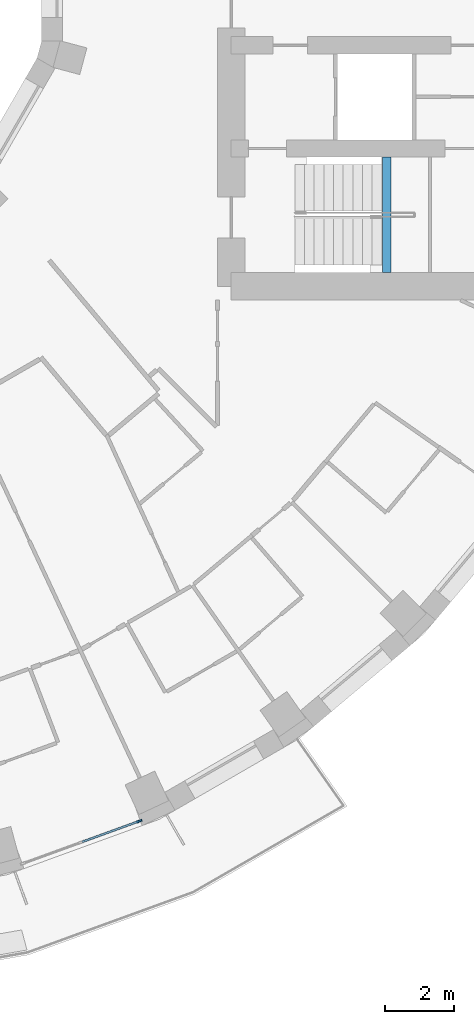
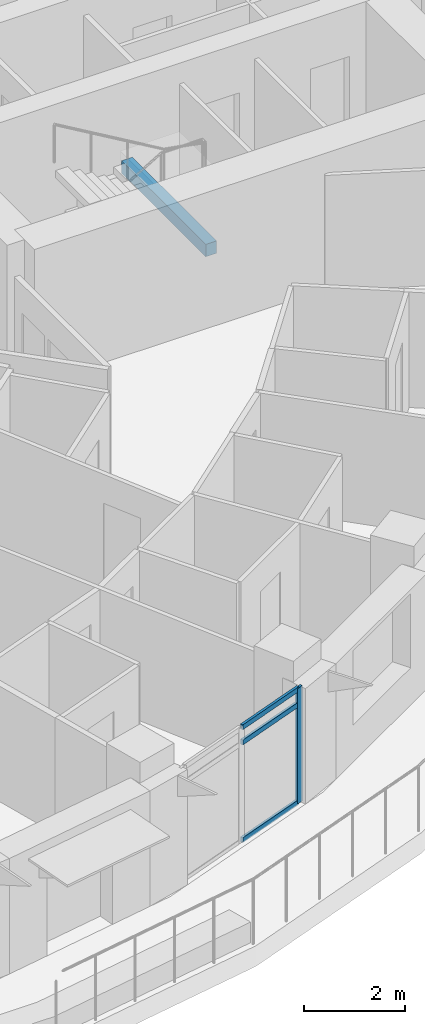
# One storey, part 3 of 16: 4 members, 1 beam, 1 element without a shape of its own.
"""IFC4 building model written with IfcOpenShell, lengths in metres."""

from ifc_helpers import new_model, si_unit, direction, frame, origin, origin_2d, place, context, subcontext, project, spatial, rectangle, extrude, material, layer, layer_set, material_profile, profile_set, type_object, element, aggregate, save


model = new_model("IFC4")

# Units and contexts
model_context = context("Model", 3, precision=1e-05, world=origin(), true_north=direction((0.0, 1.0)))
body_context = subcontext(model_context, "Body", "Model", "MODEL_VIEW")
ifc_project = project(units=[si_unit("LENGTHUNIT", "METRE"), si_unit("AREAUNIT", "SQUARE_METRE"), si_unit("VOLUMEUNIT", "CUBIC_METRE"), si_unit("PLANEANGLEUNIT", "RADIAN"), si_unit("MASSUNIT", "GRAM", prefix="KILO")], contexts=[model_context])

# Site, building, storey
site_placement = place(None, origin())
site = spatial("IfcSite", under=ifc_project, at=site_placement, CompositionType="ELEMENT")
building_placement = place(site_placement, origin())
building = spatial("IfcBuilding", under=site, at=building_placement, Name="Saqina Gate Tower", CompositionType="ELEMENT")
storey_placement = place(building_placement, frame((0.0, 0.0, 144.699951171875)))
storey = spatial("IfcBuildingStorey", under=building, at=storey_placement, Name="L41", CompositionType="ELEMENT", Elevation=144.699951171875)

# Curtain wall, members
ifc_material_1 = material(Name="Aluminium glazing", Category="aluminium")
ifc_layer = layer(ifc_material_1, 0.159912109375)
ifc_layer_set = layer_set([ifc_layer], Name="CWT-4")
curtain_wall_type = type_object("IfcCurtainWallType", Name="CWT-4", PredefinedType="NOTDEFINED", material=ifc_layer_set)
curtain_wall_placement = place(storey_placement, origin())
curtain_wall = element("IfcCurtainWall", 1, at=curtain_wall_placement, inside=storey, type_object=curtain_wall_type, Name="Terrace lounge glazing facet 29", PredefinedType="NOTDEFINED")
ifc_material_2 = material(Name="Aluminium", Category="aluminium")
ifc_material_profile_1 = material_profile(ifc_material_2, rectangle(XDim=0.06005859375, YDim=0.159912109375, at=origin_2d()), Name="Aluminium 60x160")
ifc_profile_set_1 = profile_set([ifc_material_profile_1], Name="Aluminium")
member_type_1 = type_object("IfcMemberType", Name="CWT-4M", PredefinedType="MULLION", material=ifc_profile_set_1)
member_1_placement = place(storey_placement, frame((10.833740234375, -24.520751953125, 0.0), z_axis=(0.0, 0.0, 1.0), x_axis=(-0.342015987197, 0.939694133483, 0.0)))
member_1 = element("IfcMember", 2, at=member_1_placement, type_object=member_type_1, Name="CW4-29 mullion 3", PredefinedType="MULLION", context=body_context, shape_type="SweptSolid", body=[
    extrude(rectangle(XDim=0.06005859375, YDim=0.159912109375, at=origin_2d()), origin(), (0.0, 0.0, 1.0), 2.800048828125),
])
ifc_material_3 = material(Name="Aluminium", Category="aluminium")
ifc_material_profile_2 = material_profile(ifc_material_3, rectangle(XDim=0.06005859375, YDim=0.1201171875, at=origin_2d()), Name="Aluminium 60x120")
ifc_profile_set_2 = profile_set([ifc_material_profile_2], Name="Aluminium")
member_type_2 = type_object("IfcMemberType", Name="CWT-4T", PredefinedType="USERDEFINED", material=ifc_profile_set_2)
member_2_placement = place(storey_placement, frame((9.17626953125, -25.1240234375, 0.030029296875), z_axis=(0.93969883573, 0.342003067424, 0.0), x_axis=(-0.342003067424, 0.93969883573, 0.0)))
member_2 = element("IfcMember", 3, at=member_2_placement, type_object=member_type_2, Name="CW4-29 transom 2.1", ObjectType="TRANSOM", PredefinedType="USERDEFINED", context=body_context, shape_type="SweptSolid", body=[
    extrude(rectangle(XDim=0.06005859375, YDim=0.1201171875, at=origin_2d()), origin(), (0.0, 0.0, 1.0), 1.73388671875),
])
member_3_placement = place(storey_placement, frame((9.17626953125, -25.1240234375, 2.400146484375), z_axis=(0.93969883573, 0.342003067424, 0.0), x_axis=(-0.342003067424, 0.93969883573, 0.0)))
member_3 = element("IfcMember", 4, at=member_3_placement, type_object=member_type_2, Name="CW4-29 transom 2.2", ObjectType="TRANSOM", PredefinedType="USERDEFINED", context=body_context, shape_type="SweptSolid", body=[
    extrude(rectangle(XDim=0.06005859375, YDim=0.1201171875, at=origin_2d()), origin(), (0.0, 0.0, 1.0), 1.73388671875),
])
member_4_placement = place(storey_placement, frame((9.17626953125, -25.1240234375, 2.77001953125), z_axis=(0.93969883573, 0.342003067424, 0.0), x_axis=(-0.342003067424, 0.93969883573, 0.0)))
member_4 = element("IfcMember", 5, at=member_4_placement, type_object=member_type_2, Name="CW4-29 transom 2.3", ObjectType="TRANSOM", PredefinedType="USERDEFINED", context=body_context, shape_type="SweptSolid", body=[
    extrude(rectangle(XDim=0.06005859375, YDim=0.1201171875, at=origin_2d()), origin(), (0.0, 0.0, 1.0), 1.73388671875),
])
aggregate(curtain_wall, [member_1, member_2, member_3, member_4])

# Beam
ifc_material_4 = material(Name="Concrete C40/50", Category="concrete")
ifc_material_profile_3 = material_profile(ifc_material_4, rectangle(XDim=0.25, YDim=0.300048828125, at=origin_2d()), Name="STAIR LANDING BEAM")
ifc_profile_set_3 = profile_set([ifc_material_profile_3], Name="Concrete C40/50")
beam_type = type_object("IfcBeamType", Name="STAIR LANDING BEAM", PredefinedType="BEAM", material=ifc_profile_set_3)
beam_placement = place(storey_placement, frame((18.02001953125, -8.60009765625, 1.25), z_axis=(0.0, 1.0, 0.0), x_axis=(-1.0, 0.0, 0.0)))
element("IfcBeam", 6, at=beam_placement, inside=storey, type_object=beam_type, Name="EXIT STAIR 2 LANDING BEAM", PredefinedType="BEAM", context=body_context, shape_type="SweptSolid", body=[
    extrude(rectangle(XDim=0.25, YDim=0.300048828125, at=origin_2d()), origin(), (0.0, 0.0, 1.0), 3.35009765625),
])

save(model, "model.ifc")
